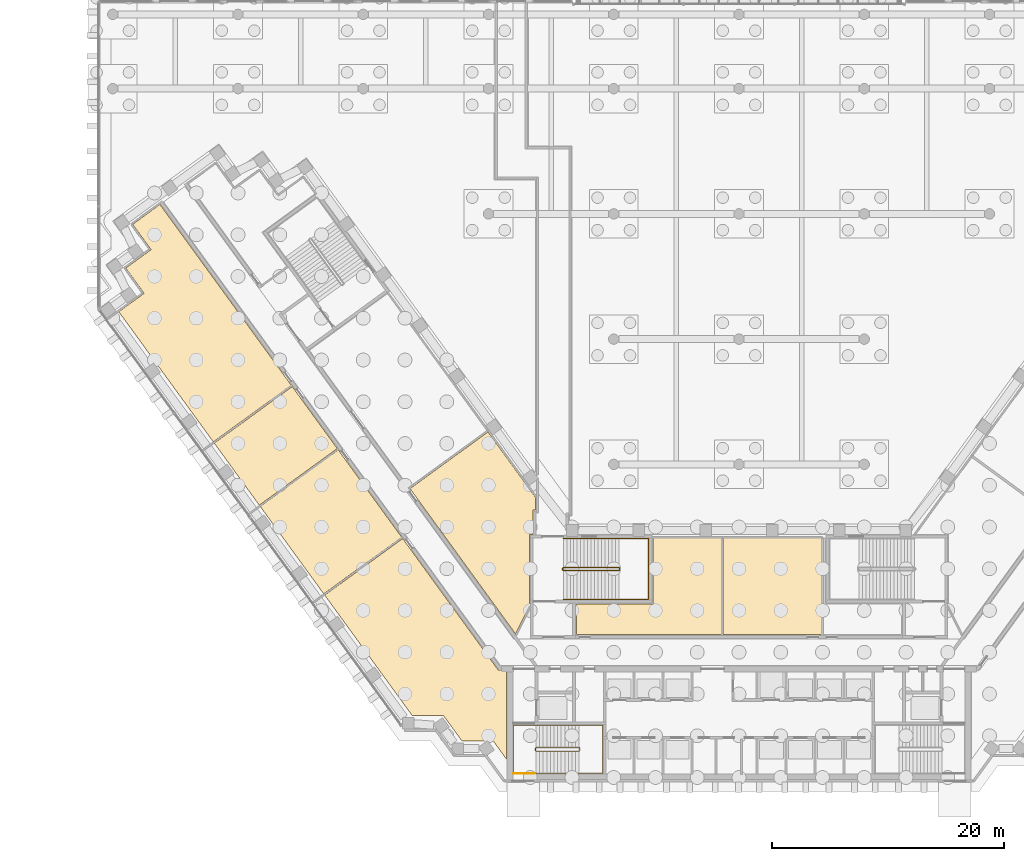
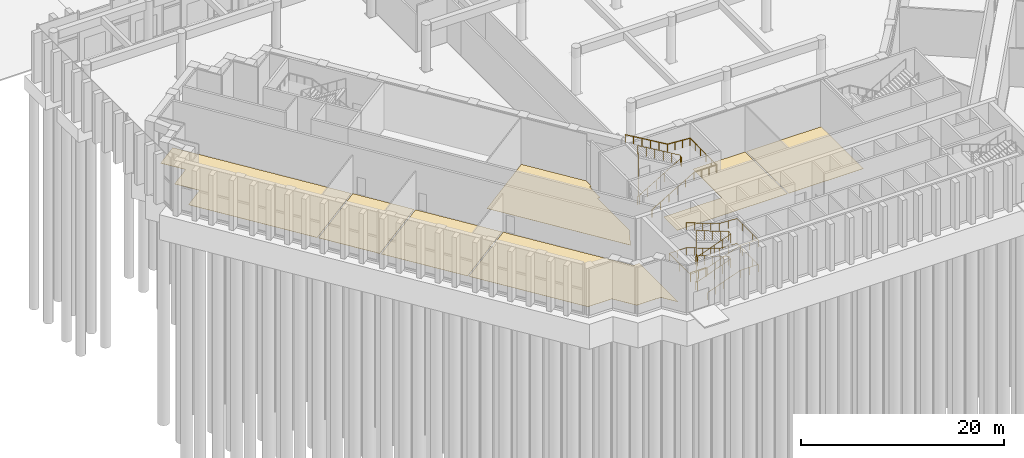
# One storey, part 25 of 32: 7 coverings, 5 railings.
"""IFC4 building model written with IfcOpenShell, lengths in metres."""

from ifc_helpers import new_model, si_unit, direction, frame, origin, origin_2d, place, context, subcontext, project, spatial, polyline, circle, outline, extrude, material, layer, layer_set, type_object, element, save


model = new_model("IFC4")

# Units and contexts
model_context = context("Model", 3, precision=1e-05, world=origin(), true_north=direction((0.0, 1.0)))
body_context = subcontext(model_context, "Body", "Model", "MODEL_VIEW")
ifc_project = project(units=[si_unit("LENGTHUNIT", "METRE"), si_unit("AREAUNIT", "SQUARE_METRE"), si_unit("VOLUMEUNIT", "CUBIC_METRE"), si_unit("PLANEANGLEUNIT", "RADIAN"), si_unit("MASSUNIT", "GRAM", prefix="KILO")], contexts=[model_context])

# Site, building, storey
site_placement = place(None, origin())
site = spatial("IfcSite", under=ifc_project, at=site_placement, CompositionType="ELEMENT")
building_placement = place(site_placement, origin())
building = spatial("IfcBuilding", under=site, at=building_placement, Name="Quipu Civic Tower", CompositionType="ELEMENT")
storey_placement = place(building_placement, origin())
storey = spatial("IfcBuildingStorey", under=building, at=storey_placement, Name="L00", CompositionType="ELEMENT", Elevation=0.0)

# Coverings
ifc_material_1 = material(Name="Carpet tile on raised access floor")
ifc_layer_1 = layer(ifc_material_1, 0.02001953125)
ifc_layer_set_1 = layer_set([ifc_layer_1], Name="Carpet tile on raised access floor")
covering_type_1 = type_object("IfcCoveringType", Name="Carpet tile floor finish 20", PredefinedType="FLOORING", material=ifc_layer_set_1)
covering_1_placement = place(storey_placement, origin())
element("IfcCovering", 1, at=covering_1_placement, inside=storey, type_object=covering_type_1, Name="Carpet tile floor finish 20", PredefinedType="FLOORING", context=body_context, shape_type="SweptSolid", body=[
    extrude(outline(polyline([(-53.47998046875, 29.35791015625), (-51.297119140625, 30.945068359375), (-52.883056640625, 33.12890625), (-50.698974609375, 34.717041015625), (-52.284912109375, 36.90087890625), (-49.930908203125, 38.611083984375), (-38.60791015625, 23.02490234375), (-45.3310546875, 18.14111328125), (-53.47998046875, 29.35791015625)])), origin(), (0.0, 0.0, 1.0), 0.02001953125),
])
covering_2_placement = place(storey_placement, origin())
element("IfcCovering", 2, at=covering_2_placement, inside=storey, type_object=covering_type_1, Name="Carpet tile floor finish 20", PredefinedType="FLOORING", context=body_context, shape_type="SweptSolid", body=[
    extrude(outline(polyline([(-41.281005859375, 12.56689453125), (-34.556884765625, 17.450927734375), (-29.0859375, 9.9189453125), (-35.80908203125, 5.034912109375), (-41.281005859375, 12.56689453125)])), origin(), (0.0, 0.0, 1.0), 0.02001953125),
])
covering_3_placement = place(storey_placement, origin())
element("IfcCovering", 3, at=covering_3_placement, inside=storey, type_object=covering_type_1, Name="Carpet tile floor finish 20", PredefinedType="FLOORING", context=body_context, shape_type="SweptSolid", body=[
    extrude(outline(polyline([(-14.030029296875, 4.179931640625), (-7.430908203125, 4.179931640625), (-7.429931640625, 9.830078125), (-1.510009765625, 9.830078125), (-1.510009765625, 1.52001953125), (-14.030029296875, 1.52001953125), (-14.030029296875, 4.179931640625)])), origin(), (0.0, 0.0, 1.0), 0.02001953125),
])
covering_4_placement = place(storey_placement, origin())
element("IfcCovering", 4, at=covering_4_placement, inside=storey, type_object=covering_type_1, Name="Carpet tile floor finish 20", PredefinedType="FLOORING", context=body_context, shape_type="SweptSolid", body=[
    extrude(outline(polyline([(-28.37109375, 14.10888671875), (-21.64794921875, 18.992919921875), (-17.550048828125, 13.35107421875), (-17.550048828125, 12.26904296875), (-17.77001953125, 12.26708984375), (-17.77001953125, 10.169921875), (-18.070068359375, 10.16796875), (-18.070068359375, 3.94189453125), (-19.27197265625, 1.583984375), (-28.37109375, 14.10888671875)])), origin(), (0.0, 0.0, 1.0), 0.02001953125),
])
covering_5_placement = place(storey_placement, origin())
element("IfcCovering", 5, at=covering_5_placement, inside=storey, type_object=covering_type_1, Name="Carpet tile floor finish 20", PredefinedType="FLOORING", context=body_context, shape_type="SweptSolid", body=[
    extrude(outline(polyline([(-35.72607421875, 4.922119140625), (-29.0029296875, 9.805908203125), (-20.77490234375, -1.51904296875), (-20.070068359375, -1.52001953125), (-20.070068359375, -9.195068359375), (-21.196044921875, -7.64599609375), (-21.597900390625, -7.64599609375), (-21.64111328125, -7.5869140625), (-21.64404296875, -7.5830078125), (-21.64697265625, -7.580078125), (-21.65087890625, -7.576904296875), (-21.655029296875, -7.573974609375), (-21.658935546875, -7.572021484375), (-21.6640625, -7.570068359375), (-21.6689453125, -7.568115234375), (-21.673095703125, -7.56689453125), (-21.677978515625, -7.56689453125), (-21.68310546875, -7.56689453125), (-21.68798828125, -7.56689453125), (-21.693115234375, -7.568115234375), (-21.697998046875, -7.569091796875), (-21.701904296875, -7.571044921875), (-21.7060546875, -7.572998046875), (-21.7109375, -7.575927734375), (-21.806884765625, -7.64599609375), (-23.89501953125, -7.64599609375), (-25.48193359375, -5.4619140625), (-28.181884765625, -5.4609375), (-35.72607421875, 4.922119140625)])), origin(), (0.0, 0.0, 1.0), 0.02001953125),
])
covering_6_placement = place(storey_placement, origin())
element("IfcCovering", 6, at=covering_6_placement, inside=storey, type_object=covering_type_1, Name="Carpet tile floor finish 20", PredefinedType="FLOORING", context=body_context, shape_type="SweptSolid", body=[
    extrude(outline(polyline([(-1.3701171875, 9.830078125), (7.1279296875, 9.830078125), (7.1279296875, 1.52001953125), (-1.368896484375, 1.52001953125), (-1.3701171875, 9.830078125)])), origin(), (0.0, 0.0, 1.0), 0.02001953125),
])
ifc_material_2 = material(Name="Ceramic floor tile")
ifc_layer_2 = layer(ifc_material_2, 0.030029296875)
ifc_layer_set_2 = layer_set([ifc_layer_2], Name="Ceramic floor tile")
covering_type_2 = type_object("IfcCoveringType", Name="Ceramic tile floor finish 30", PredefinedType="FLOORING", material=ifc_layer_set_2)
covering_7_placement = place(storey_placement, origin())
element("IfcCovering", 7, at=covering_7_placement, inside=storey, type_object=covering_type_2, Name="Ceramic tile floor finish 30", PredefinedType="FLOORING", context=body_context, shape_type="SweptSolid", body=[
    extrude(outline(polyline([(-45.248046875, 18.028076171875), (-38.52490234375, 22.912109375), (-34.639892578125, 17.56396484375), (-41.364013671875, 12.679931640625), (-45.248046875, 18.028076171875)])), origin(), (0.0, 0.0, 1.0), 0.030029296875),
])

# Railings
ifc_material_3 = material(Name="Stainless steel", Category="steel")
railing_type_1 = type_object("IfcRailingType", Name="Stair guard 1100", PredefinedType="GUARDRAIL", material=ifc_material_3)
railing_1_placement = place(storey_placement, frame((-17.5, -8.550048828125, 0.115478515625)))
element("IfcRailing", 8, at=railing_1_placement, inside=storey, type_object=railing_type_1, Name="Stair 1 guard", PredefinedType="GUARDRAIL", context=body_context, shape_type="SweptSolid", body=[
    extrude(circle(Radius=0.02392578125, at=origin_2d()), frame((0.0, 0.0, 1.076171875), z_axis=(0.937193329374, 0.0, 0.348810354458), x_axis=(0.0, 1.0, 0.0)), (0.0, 0.0, 1.0), 3.96923828125),
    extrude(circle(Radius=0.02392578125, at=origin_2d()), frame((3.719970703125, 0.0, 2.46044921875), z_axis=(0.707106781187, 0.707106781187, 0.0), x_axis=(-0.707106781187, 0.707106781187, 0.0)), (0.0, 0.0, 1.0), 0.07080078125),
    extrude(circle(Radius=0.02392578125, at=origin_2d()), frame((3.77001953125, 0.050048828125, 2.46044921875), z_axis=(0.0, 1.0, 0.0), x_axis=(-1.0, 0.0, 0.0)), (0.0, 0.0, 1.0), 0.25),
    extrude(circle(Radius=0.02392578125, at=origin_2d()), frame((3.77001953125, 0.300048828125, 2.46044921875), z_axis=(-0.3695169537, 0.3695169537, 0.852592776099), x_axis=(-0.707106781187, -0.707106781187, 0.0)), (0.0, 0.0, 1.0), 0.135498046875),
    extrude(circle(Radius=0.02392578125, at=origin_2d()), frame((3.719970703125, 0.35009765625, 2.576171875), z_axis=(-0.937193329374, 0.0, 0.348810354458), x_axis=(0.0, -1.0, 0.0)), (0.0, 0.0, 1.0), 3.96923828125),
    extrude(circle(Radius=0.02392578125, at=origin_2d()), frame((0.0, 0.35009765625, 3.96044921875), z_axis=(-0.164529134168, -0.986372223864, 0.0), x_axis=(0.986372223864, -0.164529134168, 0.0)), (0.0, 0.0, 1.0), 0.30419921875),
    extrude(circle(Radius=0.02392578125, at=origin_2d()), frame((-0.050048828125, 0.050048828125, 3.96044921875), z_axis=(0.0, 1.0, 0.0), x_axis=(-1.0, 0.0, 0.0)), (0.0, 0.0, 1.0), 0.25),
    extrude(circle(Radius=0.02392578125, at=origin_2d()), frame((-0.050048828125, 0.300048828125, 3.96044921875), z_axis=(0.153818488509, -0.922160596963, 0.354908024706), x_axis=(0.986372223864, 0.164529134168, 0.0)), (0.0, 0.0, 1.0), 0.325439453125),
    extrude(circle(Radius=0.02392578125, at=origin_2d()), frame((0.0, 0.0, 4.076171875), z_axis=(0.937193329374, 0.0, 0.348810354458), x_axis=(0.0, 1.0, 0.0)), (0.0, 0.0, 1.0), 3.96923828125),
    extrude(circle(Radius=0.02392578125, at=origin_2d()), frame((3.719970703125, 0.0, 5.46044921875), z_axis=(0.707106781187, 0.707106781187, 0.0), x_axis=(-0.707106781187, 0.707106781187, 0.0)), (0.0, 0.0, 1.0), 0.07080078125),
    extrude(circle(Radius=0.02392578125, at=origin_2d()), frame((3.77001953125, 0.050048828125, 5.46044921875), z_axis=(0.0, 1.0, 0.0), x_axis=(-1.0, 0.0, 0.0)), (0.0, 0.0, 1.0), 0.25),
    extrude(circle(Radius=0.02392578125, at=origin_2d()), frame((3.77001953125, 0.300048828125, 5.46044921875), z_axis=(-0.3695169537, 0.3695169537, 0.852592776099), x_axis=(-0.707106781187, -0.707106781187, 0.0)), (0.0, 0.0, 1.0), 0.135498046875),
    extrude(circle(Radius=0.02392578125, at=origin_2d()), frame((3.719970703125, 0.35009765625, 5.576171875), z_axis=(-0.937193329374, 0.0, 0.348810354458), x_axis=(0.0, -1.0, 0.0)), (0.0, 0.0, 1.0), 3.96923828125),
    extrude(circle(Radius=0.02392578125, at=origin_2d()), frame((0.0, 0.35009765625, 6.96044921875), z_axis=(-0.008330771543, -0.049943991347, -0.998717275296), x_axis=(0.986372223864, -0.164529134168, 0.0)), (0.0, 0.0, 1.0), 6.0078125),
    extrude(circle(Radius=0.02392578125, at=origin_2d()), frame((-0.050048828125, 0.050048828125, 0.96044921875), z_axis=(0.0, 1.0, 0.0), x_axis=(-1.0, 0.0, 0.0)), (0.0, 0.0, 1.0), 0.25),
    extrude(circle(Radius=0.02099609375, at=origin_2d()), origin(), (0.0, 0.0, 1.0), 1.052001953125),
    extrude(circle(Radius=0.02099609375, at=origin_2d()), frame((0.929931640625, 0.0, 0.34619140625)), (0.0, 0.0, 1.0), 1.052001953125),
    extrude(circle(Radius=0.02099609375, at=origin_2d()), frame((1.85986328125, 0.0, 0.6923828125)), (0.0, 0.0, 1.0), 1.052001953125),
    extrude(circle(Radius=0.02099609375, at=origin_2d()), frame((2.7900390625, 0.0, 1.038330078125)), (0.0, 0.0, 1.0), 1.052001953125),
    extrude(circle(Radius=0.02099609375, at=origin_2d()), frame((3.719970703125, 0.0, 1.384521484375)), (0.0, 0.0, 1.0), 1.052001953125),
    extrude(circle(Radius=0.02099609375, at=origin_2d()), frame((3.77001953125, 0.050048828125, 1.384521484375)), (0.0, 0.0, 1.0), 1.052001953125),
    extrude(circle(Radius=0.02099609375, at=origin_2d()), frame((3.77001953125, 0.300048828125, 1.384521484375)), (0.0, 0.0, 1.0), 1.052001953125),
    extrude(circle(Radius=0.02099609375, at=origin_2d()), frame((3.719970703125, 0.35009765625, 1.5)), (0.0, 0.0, 1.0), 1.052001953125),
    extrude(circle(Radius=0.02099609375, at=origin_2d()), frame((2.7900390625, 0.35009765625, 1.84619140625)), (0.0, 0.0, 1.0), 1.052001953125),
    extrude(circle(Radius=0.02099609375, at=origin_2d()), frame((1.85986328125, 0.35009765625, 2.1923828125)), (0.0, 0.0, 1.0), 1.052001953125),
    extrude(circle(Radius=0.02099609375, at=origin_2d()), frame((0.929931640625, 0.35009765625, 2.538330078125)), (0.0, 0.0, 1.0), 1.052001953125),
    extrude(circle(Radius=0.02099609375, at=origin_2d()), frame((0.0, 0.35009765625, 2.884521484375)), (0.0, 0.0, 1.0), 1.052001953125),
    extrude(circle(Radius=0.02099609375, at=origin_2d()), frame((-0.050048828125, 0.050048828125, 2.884521484375)), (0.0, 0.0, 1.0), 1.052001953125),
    extrude(circle(Radius=0.02099609375, at=origin_2d()), frame((-0.050048828125, 0.300048828125, 2.884521484375)), (0.0, 0.0, 1.0), 1.052001953125),
    extrude(circle(Radius=0.02099609375, at=origin_2d()), frame((0.0, 0.0, 3.0)), (0.0, 0.0, 1.0), 1.052001953125),
    extrude(circle(Radius=0.02099609375, at=origin_2d()), frame((0.929931640625, 0.0, 3.34619140625)), (0.0, 0.0, 1.0), 1.052001953125),
    extrude(circle(Radius=0.02099609375, at=origin_2d()), frame((1.85986328125, 0.0, 3.6923828125)), (0.0, 0.0, 1.0), 1.052001953125),
    extrude(circle(Radius=0.02099609375, at=origin_2d()), frame((2.7900390625, 0.0, 4.038330078125)), (0.0, 0.0, 1.0), 1.052001953125),
    extrude(circle(Radius=0.02099609375, at=origin_2d()), frame((3.719970703125, 0.0, 4.384521484375)), (0.0, 0.0, 1.0), 1.052001953125),
    extrude(circle(Radius=0.02099609375, at=origin_2d()), frame((3.77001953125, 0.050048828125, 4.384521484375)), (0.0, 0.0, 1.0), 1.052001953125),
    extrude(circle(Radius=0.02099609375, at=origin_2d()), frame((3.77001953125, 0.300048828125, 4.384521484375)), (0.0, 0.0, 1.0), 1.052001953125),
    extrude(circle(Radius=0.02099609375, at=origin_2d()), frame((3.719970703125, 0.35009765625, 4.5)), (0.0, 0.0, 1.0), 1.052001953125),
    extrude(circle(Radius=0.02099609375, at=origin_2d()), frame((2.7900390625, 0.35009765625, 4.84619140625)), (0.0, 0.0, 1.0), 1.052001953125),
    extrude(circle(Radius=0.02099609375, at=origin_2d()), frame((1.85986328125, 0.35009765625, 5.1923828125)), (0.0, 0.0, 1.0), 1.052001953125),
    extrude(circle(Radius=0.02099609375, at=origin_2d()), frame((0.929931640625, 0.35009765625, 5.538330078125)), (0.0, 0.0, 1.0), 1.052001953125),
    extrude(circle(Radius=0.02099609375, at=origin_2d()), frame((0.0, 0.35009765625, 5.884521484375)), (0.0, 0.0, 1.0), 1.052001953125),
    extrude(circle(Radius=0.02099609375, at=origin_2d()), frame((-0.00830078125, 0.300048828125, 4.884521484375)), (0.0, 0.0, 1.0), 1.052001953125),
    extrude(circle(Radius=0.02099609375, at=origin_2d()), frame((-0.0166015625, 0.25, 3.884521484375)), (0.0, 0.0, 1.0), 1.052001953125),
    extrude(circle(Radius=0.02099609375, at=origin_2d()), frame((-0.02490234375, 0.2001953125, 2.884521484375)), (0.0, 0.0, 1.0), 1.052001953125),
    extrude(circle(Radius=0.02099609375, at=origin_2d()), frame((-0.033447265625, 0.150146484375, 1.884521484375)), (0.0, 0.0, 1.0), 1.052001953125),
    extrude(circle(Radius=0.02099609375, at=origin_2d()), frame((-0.041748046875, 0.10009765625, 0.884521484375)), (0.0, 0.0, 1.0), 1.052001953125),
    extrude(circle(Radius=0.02099609375, at=origin_2d()), frame((-0.050048828125, 0.050048828125, -0.115478515625)), (0.0, 0.0, 1.0), 1.052001953125),
    extrude(circle(Radius=0.02099609375, at=origin_2d()), frame((-0.050048828125, 0.300048828125, -0.115478515625)), (0.0, 0.0, 1.0), 1.052001953125),
])
railing_2_placement = place(storey_placement, frame((-15.14990234375, 7.050048828125, 0.176513671875)))
element("IfcRailing", 9, at=railing_2_placement, inside=storey, type_object=railing_type_1, Name="Stair 3 guard", PredefinedType="GUARDRAIL", context=body_context, shape_type="SweptSolid", body=[
    extrude(circle(Radius=0.02392578125, at=origin_2d()), frame((0.0, 0.0, 1.076171875), z_axis=(0.86192857992, 0.0, 0.507029706346), x_axis=(0.0, 1.0, 0.0)), (0.0, 0.0, 1.0), 5.568603515625),
    extrude(circle(Radius=0.02392578125, at=origin_2d()), frame((4.7998046875, 0.0, 3.8994140625), z_axis=(0.707106781187, 0.707106781187, 0.0), x_axis=(-0.707106781187, 0.707106781187, 0.0)), (0.0, 0.0, 1.0), 0.07080078125),
    extrude(circle(Radius=0.02392578125, at=origin_2d()), frame((4.849853515625, 0.050048828125, 3.8994140625), z_axis=(0.0, 1.0, 0.0), x_axis=(-1.0, 0.0, 0.0)), (0.0, 0.0, 1.0), 0.14990234375),
    extrude(circle(Radius=0.02392578125, at=origin_2d()), frame((4.849853515625, 0.199951171875, 3.8994140625), z_axis=(-0.263171338983, 0.263171338983, 0.928160380902), x_axis=(-0.707106781187, -0.707106781187, 0.0)), (0.0, 0.0, 1.0), 0.190185546875),
    extrude(circle(Radius=0.02392578125, at=origin_2d()), frame((4.7998046875, 0.25, 4.076171875), z_axis=(-0.86192857992, 0.0, 0.507029706346), x_axis=(0.0, -1.0, 0.0)), (0.0, 0.0, 1.0), 5.568603515625),
    extrude(circle(Radius=0.02392578125, at=origin_2d()), frame((0.0, 0.25, 6.8994140625), z_axis=(-0.008336553618, -0.033305548356, -0.999410447375), x_axis=(0.970072785993, -0.242814311512, 0.0)), (0.0, 0.0, 1.0), 6.00341796875),
    extrude(circle(Radius=0.02392578125, at=origin_2d()), frame((-0.050048828125, 0.050048828125, 0.8994140625), z_axis=(0.0, 1.0, 0.0), x_axis=(-1.0, 0.0, 0.0)), (0.0, 0.0, 1.0), 0.14990234375),
    extrude(circle(Radius=0.02099609375, at=origin_2d()), origin(), (0.0, 0.0, 1.0), 1.052001953125),
    extrude(circle(Radius=0.02099609375, at=origin_2d()), frame((0.9599609375, 0.0, 0.564697265625)), (0.0, 0.0, 1.0), 1.052001953125),
    extrude(circle(Radius=0.02099609375, at=origin_2d()), frame((1.919921875, 0.0, 1.12939453125)), (0.0, 0.0, 1.0), 1.052001953125),
    extrude(circle(Radius=0.02099609375, at=origin_2d()), frame((2.8798828125, 0.0, 1.694091796875)), (0.0, 0.0, 1.0), 1.052001953125),
    extrude(circle(Radius=0.02099609375, at=origin_2d()), frame((3.83984375, 0.0, 2.2587890625)), (0.0, 0.0, 1.0), 1.052001953125),
    extrude(circle(Radius=0.02099609375, at=origin_2d()), frame((4.7998046875, 0.0, 2.823486328125)), (0.0, 0.0, 1.0), 1.052001953125),
    extrude(circle(Radius=0.02099609375, at=origin_2d()), frame((4.849853515625, 0.050048828125, 2.823486328125)), (0.0, 0.0, 1.0), 1.052001953125),
    extrude(circle(Radius=0.02099609375, at=origin_2d()), frame((4.849853515625, 0.199951171875, 2.823486328125)), (0.0, 0.0, 1.0), 1.052001953125),
    extrude(circle(Radius=0.02099609375, at=origin_2d()), frame((4.7998046875, 0.25, 3.0)), (0.0, 0.0, 1.0), 1.052001953125),
    extrude(circle(Radius=0.02099609375, at=origin_2d()), frame((3.83984375, 0.25, 3.564697265625)), (0.0, 0.0, 1.0), 1.052001953125),
    extrude(circle(Radius=0.02099609375, at=origin_2d()), frame((2.8798828125, 0.25, 4.12939453125)), (0.0, 0.0, 1.0), 1.052001953125),
    extrude(circle(Radius=0.02099609375, at=origin_2d()), frame((1.919921875, 0.25, 4.694091796875)), (0.0, 0.0, 1.0), 1.052001953125),
    extrude(circle(Radius=0.02099609375, at=origin_2d()), frame((0.9599609375, 0.25, 5.2587890625)), (0.0, 0.0, 1.0), 1.052001953125),
    extrude(circle(Radius=0.02099609375, at=origin_2d()), frame((0.0, 0.25, 5.823486328125)), (0.0, 0.0, 1.0), 1.052001953125),
    extrude(circle(Radius=0.02099609375, at=origin_2d()), frame((-0.00830078125, 0.216796875, 4.823486328125)), (0.0, 0.0, 1.0), 1.052001953125),
    extrude(circle(Radius=0.02099609375, at=origin_2d()), frame((-0.0166015625, 0.183349609375, 3.823486328125)), (0.0, 0.0, 1.0), 1.052001953125),
    extrude(circle(Radius=0.02099609375, at=origin_2d()), frame((-0.02490234375, 0.14990234375, 2.823486328125)), (0.0, 0.0, 1.0), 1.052001953125),
    extrude(circle(Radius=0.02099609375, at=origin_2d()), frame((-0.033447265625, 0.11669921875, 1.823486328125)), (0.0, 0.0, 1.0), 1.052001953125),
    extrude(circle(Radius=0.02099609375, at=origin_2d()), frame((-0.041748046875, 0.08349609375, 0.823486328125)), (0.0, 0.0, 1.0), 1.052001953125),
    extrude(circle(Radius=0.02099609375, at=origin_2d()), frame((-0.050048828125, 0.050048828125, -0.176513671875)), (0.0, 0.0, 1.0), 1.052001953125),
    extrude(circle(Radius=0.02099609375, at=origin_2d()), frame((-0.050048828125, 0.199951171875, -0.176513671875)), (0.0, 0.0, 1.0), 1.052001953125),
])
railing_3_placement = place(storey_placement, frame((-19.449951171875, -10.449951171875, 3.0)))
element("IfcRailing", 10, at=railing_3_placement, inside=storey, type_object=railing_type_1, Name="Stair 1 landing guard", PredefinedType="GUARDRAIL", context=body_context, shape_type="SweptSolid", body=[
    extrude(circle(Radius=0.02392578125, at=origin_2d()), frame((0.0, 0.0, 1.076171875), z_axis=(1.0, 0.0, 0.0), x_axis=(0.0, 1.0, 0.0)), (0.0, 0.0, 1.0), 1.800048828125),
    extrude(circle(Radius=0.02099609375, at=origin_2d()), origin(), (0.0, 0.0, 1.0), 1.052001953125),
    extrude(circle(Radius=0.02099609375, at=origin_2d()), frame((0.89990234375, 0.0, 0.0)), (0.0, 0.0, 1.0), 1.052001953125),
    extrude(circle(Radius=0.02099609375, at=origin_2d()), frame((1.800048828125, 0.0, 0.0)), (0.0, 0.0, 1.0), 1.052001953125),
])
ifc_material_4 = material(Name="Stainless steel", Category="steel")
railing_type_2 = type_object("IfcRailingType", Name="Stair handrail", PredefinedType="HANDRAIL", material=ifc_material_4)
railing_4_placement = place(storey_placement, frame((-17.5, -10.449951171875, 0.115478515625)))
element("IfcRailing", 11, at=railing_4_placement, inside=storey, type_object=railing_type_2, Name="Stair 1 handrail", PredefinedType="HANDRAIL", context=body_context, shape_type="SweptSolid", body=[
    extrude(circle(Radius=0.02392578125, at=origin_2d()), frame((0.0, 0.0, 0.8759765625), z_axis=(0.937193329374, 0.0, 0.348810354458), x_axis=(0.0, 1.0, 0.0)), (0.0, 0.0, 1.0), 3.96923828125),
    extrude(circle(Radius=0.02392578125, at=origin_2d()), frame((3.719970703125, 0.0, 2.26025390625), z_axis=(1.0, 0.0, 0.0), x_axis=(0.0, 1.0, 0.0)), (0.0, 0.0, 1.0), 2.030029296875),
    extrude(circle(Radius=0.02392578125, at=origin_2d()), frame((5.75, 0.0, 2.26025390625), z_axis=(0.0, 1.0, 0.0), x_axis=(-1.0, 0.0, 0.0)), (0.0, 0.0, 1.0), 4.14990234375),
    extrude(circle(Radius=0.02392578125, at=origin_2d()), frame((5.75, 4.14990234375, 2.26025390625), z_axis=(-0.99838595614, 0.0, 0.056793332201), x_axis=(0.0, -1.0, 0.0)), (0.0, 0.0, 1.0), 2.033203125),
    extrude(circle(Radius=0.02392578125, at=origin_2d()), frame((3.719970703125, 4.14990234375, 2.3759765625), z_axis=(-0.937193329374, 0.0, 0.348810354458), x_axis=(0.0, -1.0, 0.0)), (0.0, 0.0, 1.0), 3.96923828125),
    extrude(circle(Radius=0.02392578125, at=origin_2d()), frame((0.0, 4.14990234375, 3.76025390625), z_axis=(-1.0, 0.0, 0.0), x_axis=(0.0, -1.0, 0.0)), (0.0, 0.0, 1.0), 1.949951171875),
    extrude(circle(Radius=0.02392578125, at=origin_2d()), frame((-1.949951171875, 4.14990234375, 3.76025390625), z_axis=(0.0, -1.0, 0.0), x_axis=(1.0, 0.0, 0.0)), (0.0, 0.0, 1.0), 4.14990234375),
    extrude(circle(Radius=0.02392578125, at=origin_2d()), frame((-1.949951171875, 0.0, 3.76025390625), z_axis=(0.998251021802, 0.0, 0.059117657858), x_axis=(0.0, 1.0, 0.0)), (0.0, 0.0, 1.0), 1.953369140625),
    extrude(circle(Radius=0.02392578125, at=origin_2d()), frame((0.0, 0.0, 3.8759765625), z_axis=(0.937193329374, 0.0, 0.348810354458), x_axis=(0.0, 1.0, 0.0)), (0.0, 0.0, 1.0), 3.96923828125),
    extrude(circle(Radius=0.02392578125, at=origin_2d()), frame((3.719970703125, 0.0, 5.26025390625), z_axis=(1.0, 0.0, 0.0), x_axis=(0.0, 1.0, 0.0)), (0.0, 0.0, 1.0), 2.030029296875),
    extrude(circle(Radius=0.02392578125, at=origin_2d()), frame((5.75, 0.0, 5.26025390625), z_axis=(0.0, 1.0, 0.0), x_axis=(-1.0, 0.0, 0.0)), (0.0, 0.0, 1.0), 4.14990234375),
    extrude(circle(Radius=0.02392578125, at=origin_2d()), frame((5.75, 4.14990234375, 5.26025390625), z_axis=(-0.99838595614, 0.0, 0.056793332201), x_axis=(0.0, -1.0, 0.0)), (0.0, 0.0, 1.0), 2.033203125),
    extrude(circle(Radius=0.02392578125, at=origin_2d()), frame((3.719970703125, 4.14990234375, 5.3759765625), z_axis=(-0.937193329374, 0.0, 0.348810354458), x_axis=(0.0, -1.0, 0.0)), (0.0, 0.0, 1.0), 3.96923828125),
    extrude(circle(Radius=0.02099609375, at=origin_2d()), origin(), (0.0, 0.0, 1.0), 0.851806640625),
    extrude(circle(Radius=0.02099609375, at=origin_2d()), frame((0.929931640625, 0.0, 0.34619140625)), (0.0, 0.0, 1.0), 0.851806640625),
    extrude(circle(Radius=0.02099609375, at=origin_2d()), frame((1.85986328125, 0.0, 0.6923828125)), (0.0, 0.0, 1.0), 0.851806640625),
    extrude(circle(Radius=0.02099609375, at=origin_2d()), frame((2.7900390625, 0.0, 1.038330078125)), (0.0, 0.0, 1.0), 0.851806640625),
    extrude(circle(Radius=0.02099609375, at=origin_2d()), frame((3.719970703125, 0.0, 1.384521484375)), (0.0, 0.0, 1.0), 0.851806640625),
    extrude(circle(Radius=0.02099609375, at=origin_2d()), frame((4.73486328125, 0.0, 1.384521484375)), (0.0, 0.0, 1.0), 0.851806640625),
    extrude(circle(Radius=0.02099609375, at=origin_2d()), frame((5.75, 0.0, 1.384521484375)), (0.0, 0.0, 1.0), 0.851806640625),
    extrude(circle(Radius=0.02099609375, at=origin_2d()), frame((5.75, 1.03759765625, 1.384521484375)), (0.0, 0.0, 1.0), 0.851806640625),
    extrude(circle(Radius=0.02099609375, at=origin_2d()), frame((5.75, 2.074951171875, 1.384521484375)), (0.0, 0.0, 1.0), 0.851806640625),
    extrude(circle(Radius=0.02099609375, at=origin_2d()), frame((5.75, 3.1123046875, 1.384521484375)), (0.0, 0.0, 1.0), 0.851806640625),
    extrude(circle(Radius=0.02099609375, at=origin_2d()), frame((5.75, 4.14990234375, 1.384521484375)), (0.0, 0.0, 1.0), 0.851806640625),
    extrude(circle(Radius=0.02099609375, at=origin_2d()), frame((4.73486328125, 4.14990234375, 1.4423828125)), (0.0, 0.0, 1.0), 0.851806640625),
    extrude(circle(Radius=0.02099609375, at=origin_2d()), frame((3.719970703125, 4.14990234375, 1.5)), (0.0, 0.0, 1.0), 0.851806640625),
    extrude(circle(Radius=0.02099609375, at=origin_2d()), frame((2.7900390625, 4.14990234375, 1.84619140625)), (0.0, 0.0, 1.0), 0.851806640625),
    extrude(circle(Radius=0.02099609375, at=origin_2d()), frame((1.85986328125, 4.14990234375, 2.1923828125)), (0.0, 0.0, 1.0), 0.851806640625),
    extrude(circle(Radius=0.02099609375, at=origin_2d()), frame((0.929931640625, 4.14990234375, 2.538330078125)), (0.0, 0.0, 1.0), 0.851806640625),
    extrude(circle(Radius=0.02099609375, at=origin_2d()), frame((0.0, 4.14990234375, 2.884521484375)), (0.0, 0.0, 1.0), 0.851806640625),
    extrude(circle(Radius=0.02099609375, at=origin_2d()), frame((-0.97509765625, 4.14990234375, 2.884521484375)), (0.0, 0.0, 1.0), 0.851806640625),
    extrude(circle(Radius=0.02099609375, at=origin_2d()), frame((-1.949951171875, 4.14990234375, 2.884521484375)), (0.0, 0.0, 1.0), 0.851806640625),
    extrude(circle(Radius=0.02099609375, at=origin_2d()), frame((-1.949951171875, 3.1123046875, 2.884521484375)), (0.0, 0.0, 1.0), 0.851806640625),
    extrude(circle(Radius=0.02099609375, at=origin_2d()), frame((-1.949951171875, 2.074951171875, 2.884521484375)), (0.0, 0.0, 1.0), 0.851806640625),
    extrude(circle(Radius=0.02099609375, at=origin_2d()), frame((-1.949951171875, 1.03759765625, 2.884521484375)), (0.0, 0.0, 1.0), 0.851806640625),
    extrude(circle(Radius=0.02099609375, at=origin_2d()), frame((-1.949951171875, 0.0, 2.884521484375)), (0.0, 0.0, 1.0), 0.851806640625),
    extrude(circle(Radius=0.02099609375, at=origin_2d()), frame((-0.97509765625, 0.0, 2.9423828125)), (0.0, 0.0, 1.0), 0.851806640625),
    extrude(circle(Radius=0.02099609375, at=origin_2d()), frame((0.0, 0.0, 3.0)), (0.0, 0.0, 1.0), 0.851806640625),
    extrude(circle(Radius=0.02099609375, at=origin_2d()), frame((0.929931640625, 0.0, 3.34619140625)), (0.0, 0.0, 1.0), 0.851806640625),
    extrude(circle(Radius=0.02099609375, at=origin_2d()), frame((1.85986328125, 0.0, 3.6923828125)), (0.0, 0.0, 1.0), 0.851806640625),
    extrude(circle(Radius=0.02099609375, at=origin_2d()), frame((2.7900390625, 0.0, 4.038330078125)), (0.0, 0.0, 1.0), 0.851806640625),
    extrude(circle(Radius=0.02099609375, at=origin_2d()), frame((3.719970703125, 0.0, 4.384521484375)), (0.0, 0.0, 1.0), 0.851806640625),
    extrude(circle(Radius=0.02099609375, at=origin_2d()), frame((4.73486328125, 0.0, 4.384521484375)), (0.0, 0.0, 1.0), 0.851806640625),
    extrude(circle(Radius=0.02099609375, at=origin_2d()), frame((5.75, 0.0, 4.384521484375)), (0.0, 0.0, 1.0), 0.851806640625),
    extrude(circle(Radius=0.02099609375, at=origin_2d()), frame((5.75, 1.03759765625, 4.384521484375)), (0.0, 0.0, 1.0), 0.851806640625),
    extrude(circle(Radius=0.02099609375, at=origin_2d()), frame((5.75, 2.074951171875, 4.384521484375)), (0.0, 0.0, 1.0), 0.851806640625),
    extrude(circle(Radius=0.02099609375, at=origin_2d()), frame((5.75, 3.1123046875, 4.384521484375)), (0.0, 0.0, 1.0), 0.851806640625),
    extrude(circle(Radius=0.02099609375, at=origin_2d()), frame((5.75, 4.14990234375, 4.384521484375)), (0.0, 0.0, 1.0), 0.851806640625),
    extrude(circle(Radius=0.02099609375, at=origin_2d()), frame((4.73486328125, 4.14990234375, 4.4423828125)), (0.0, 0.0, 1.0), 0.851806640625),
    extrude(circle(Radius=0.02099609375, at=origin_2d()), frame((3.719970703125, 4.14990234375, 4.5)), (0.0, 0.0, 1.0), 0.851806640625),
    extrude(circle(Radius=0.02099609375, at=origin_2d()), frame((2.7900390625, 4.14990234375, 4.84619140625)), (0.0, 0.0, 1.0), 0.851806640625),
    extrude(circle(Radius=0.02099609375, at=origin_2d()), frame((1.85986328125, 4.14990234375, 5.1923828125)), (0.0, 0.0, 1.0), 0.851806640625),
    extrude(circle(Radius=0.02099609375, at=origin_2d()), frame((0.929931640625, 4.14990234375, 5.538330078125)), (0.0, 0.0, 1.0), 0.851806640625),
    extrude(circle(Radius=0.02099609375, at=origin_2d()), frame((0.0, 4.14990234375, 5.884521484375)), (0.0, 0.0, 1.0), 0.851806640625),
])
railing_5_placement = place(storey_placement, frame((-15.14990234375, 4.550048828125, 0.176513671875)))
element("IfcRailing", 12, at=railing_5_placement, inside=storey, type_object=railing_type_2, Name="Stair 3 handrail", PredefinedType="HANDRAIL", context=body_context, shape_type="SweptSolid", body=[
    extrude(circle(Radius=0.02392578125, at=origin_2d()), frame((0.0, 0.0, 0.8759765625), z_axis=(0.86192857992, 0.0, 0.507029706346), x_axis=(0.0, 1.0, 0.0)), (0.0, 0.0, 1.0), 5.568603515625),
    extrude(circle(Radius=0.02392578125, at=origin_2d()), frame((4.7998046875, 0.0, 3.69921875), z_axis=(1.0, 0.0, 0.0), x_axis=(0.0, 1.0, 0.0)), (0.0, 0.0, 1.0), 2.550048828125),
    extrude(circle(Radius=0.02392578125, at=origin_2d()), frame((7.349853515625, 0.0, 3.69921875), z_axis=(0.0, 1.0, 0.0), x_axis=(-1.0, 0.0, 0.0)), (0.0, 0.0, 1.0), 5.25),
    extrude(circle(Radius=0.02392578125, at=origin_2d()), frame((7.349853515625, 5.25, 3.69921875), z_axis=(-0.997612889748, 0.0, 0.069054487246), x_axis=(0.0, -1.0, 0.0)), (0.0, 0.0, 1.0), 2.55615234375),
    extrude(circle(Radius=0.02392578125, at=origin_2d()), frame((4.7998046875, 5.25, 3.8759765625), z_axis=(-0.86192857992, 0.0, 0.507029706346), x_axis=(0.0, -1.0, 0.0)), (0.0, 0.0, 1.0), 5.568603515625),
    extrude(circle(Radius=0.02099609375, at=origin_2d()), origin(), (0.0, 0.0, 1.0), 0.851806640625),
    extrude(circle(Radius=0.02099609375, at=origin_2d()), frame((0.9599609375, 0.0, 0.564697265625)), (0.0, 0.0, 1.0), 0.851806640625),
    extrude(circle(Radius=0.02099609375, at=origin_2d()), frame((1.919921875, 0.0, 1.12939453125)), (0.0, 0.0, 1.0), 0.851806640625),
    extrude(circle(Radius=0.02099609375, at=origin_2d()), frame((2.8798828125, 0.0, 1.694091796875)), (0.0, 0.0, 1.0), 0.851806640625),
    extrude(circle(Radius=0.02099609375, at=origin_2d()), frame((3.83984375, 0.0, 2.2587890625)), (0.0, 0.0, 1.0), 0.851806640625),
    extrude(circle(Radius=0.02099609375, at=origin_2d()), frame((4.7998046875, 0.0, 2.823486328125)), (0.0, 0.0, 1.0), 0.851806640625),
    extrude(circle(Radius=0.02099609375, at=origin_2d()), frame((5.64990234375, 0.0, 2.823486328125)), (0.0, 0.0, 1.0), 0.851806640625),
    extrude(circle(Radius=0.02099609375, at=origin_2d()), frame((6.499755859375, 0.0, 2.823486328125)), (0.0, 0.0, 1.0), 0.851806640625),
    extrude(circle(Radius=0.02099609375, at=origin_2d()), frame((7.349853515625, 0.0, 2.823486328125)), (0.0, 0.0, 1.0), 0.851806640625),
    extrude(circle(Radius=0.02099609375, at=origin_2d()), frame((7.349853515625, 1.050048828125, 2.823486328125)), (0.0, 0.0, 1.0), 0.851806640625),
    extrude(circle(Radius=0.02099609375, at=origin_2d()), frame((7.349853515625, 2.10009765625, 2.823486328125)), (0.0, 0.0, 1.0), 0.851806640625),
    extrude(circle(Radius=0.02099609375, at=origin_2d()), frame((7.349853515625, 3.14990234375, 2.823486328125)), (0.0, 0.0, 1.0), 0.851806640625),
    extrude(circle(Radius=0.02099609375, at=origin_2d()), frame((7.349853515625, 4.199951171875, 2.823486328125)), (0.0, 0.0, 1.0), 0.851806640625),
    extrude(circle(Radius=0.02099609375, at=origin_2d()), frame((7.349853515625, 5.25, 2.823486328125)), (0.0, 0.0, 1.0), 0.851806640625),
    extrude(circle(Radius=0.02099609375, at=origin_2d()), frame((6.499755859375, 5.25, 2.88232421875)), (0.0, 0.0, 1.0), 0.851806640625),
    extrude(circle(Radius=0.02099609375, at=origin_2d()), frame((5.64990234375, 5.25, 2.941162109375)), (0.0, 0.0, 1.0), 0.851806640625),
    extrude(circle(Radius=0.02099609375, at=origin_2d()), frame((4.7998046875, 5.25, 3.0)), (0.0, 0.0, 1.0), 0.851806640625),
    extrude(circle(Radius=0.02099609375, at=origin_2d()), frame((3.83984375, 5.25, 3.564697265625)), (0.0, 0.0, 1.0), 0.851806640625),
    extrude(circle(Radius=0.02099609375, at=origin_2d()), frame((2.8798828125, 5.25, 4.12939453125)), (0.0, 0.0, 1.0), 0.851806640625),
    extrude(circle(Radius=0.02099609375, at=origin_2d()), frame((1.919921875, 5.25, 4.694091796875)), (0.0, 0.0, 1.0), 0.851806640625),
    extrude(circle(Radius=0.02099609375, at=origin_2d()), frame((0.9599609375, 5.25, 5.2587890625)), (0.0, 0.0, 1.0), 0.851806640625),
    extrude(circle(Radius=0.02099609375, at=origin_2d()), frame((0.0, 5.25, 5.823486328125)), (0.0, 0.0, 1.0), 0.851806640625),
])

save(model, "model.ifc")
